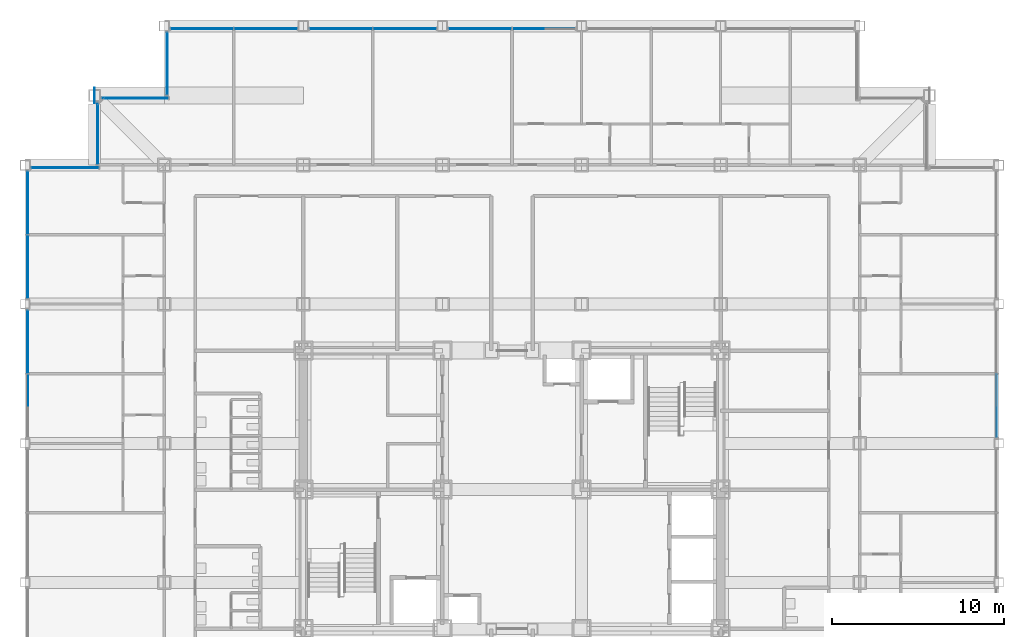
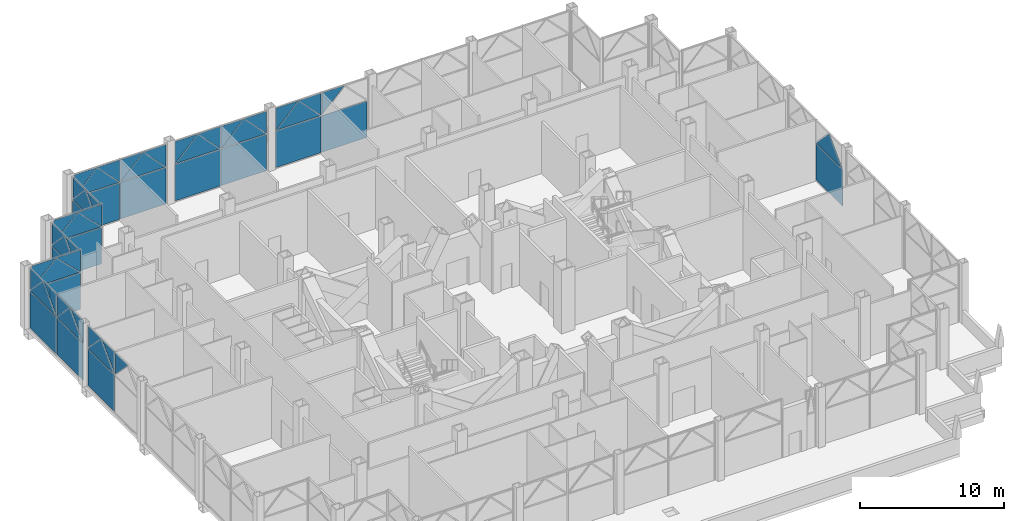
# One storey, part 15 of 29: 54 plates, 10 elements without a shape of their own.
"""IFC4 building model written with IfcOpenShell, lengths in metres."""

from ifc_helpers import new_model, si_unit, direction, frame, origin, origin_2d, place, context, subcontext, project, spatial, polyline, rectangle, outline, extrude, material, layer, layer_set, type_object, element, aggregate, save


model = new_model("IFC4")

# Units and contexts
model_context = context("Model", 3, precision=1e-05, world=origin(), true_north=direction((0.0, 1.0)))
body_context = subcontext(model_context, "Body", "Model", "MODEL_VIEW")
ifc_project = project(units=[si_unit("LENGTHUNIT", "METRE"), si_unit("AREAUNIT", "SQUARE_METRE"), si_unit("VOLUMEUNIT", "CUBIC_METRE"), si_unit("PLANEANGLEUNIT", "RADIAN"), si_unit("MASSUNIT", "GRAM", prefix="KILO")], contexts=[model_context])

# Site, building, storey
site_placement = place(None, origin())
site = spatial("IfcSite", under=ifc_project, at=site_placement, CompositionType="ELEMENT")
building_placement = place(site_placement, origin())
building = spatial("IfcBuilding", under=site, at=building_placement, Name="Kopane Lantern Tower", CompositionType="ELEMENT")
storey_placement = place(building_placement, frame((0.0, 0.0, 165.0)))
storey = spatial("IfcBuildingStorey", under=building, at=storey_placement, Name="L42", CompositionType="ELEMENT", Elevation=165.0)

# Curtain wall, plates
ifc_material_1 = material(Name="Aluminium and clear glass", Category="aluminium")
curtain_wall_type = type_object("IfcCurtainWallType", Name="CURTAIN WALL CW4 RESIDENCES LOBBY", PredefinedType="USERDEFINED", material=ifc_material_1)
curtain_wall_1_placement = place(storey_placement, origin())
curtain_wall_1 = element("IfcCurtainWall", 1, at=curtain_wall_1_placement, inside=storey, type_object=curtain_wall_type, Name="Curtain wall CW4 E L42", ObjectType="CURTAIN WALL", PredefinedType="USERDEFINED")
ifc_material_2 = material(Name="Insulated clear glass unit", Category="glass")
ifc_layer_1 = layer(ifc_material_2, 0.028076171875)
ifc_layer_set_1 = layer_set([ifc_layer_1], Name="CURTAIN PANEL CW4-P 28")
plate_type_1 = type_object("IfcPlateType", Name="CURTAIN PANEL CW4-P 28", PredefinedType="CURTAIN_PANEL", material=ifc_layer_set_1)
plate_1_placement = place(storey_placement, frame((56.550048828125, 37.280029296875, 0.06005859375), z_axis=(0.0, 0.0, 1.0), x_axis=(0.0, 1.0, 0.0)))
plate_1 = element("IfcPlate", 2, at=plate_1_placement, type_object=plate_type_1, Name="CW4 panel 1.1", PredefinedType="CURTAIN_PANEL", context=body_context, shape_type="SweptSolid", body=[
    extrude(rectangle(XDim=3.679931640625, YDim=0.028076171875, at=origin_2d()), origin(), (0.0, 0.0, 1.0), 3.10009765625),
])
plate_2_placement = place(storey_placement, frame((56.550048828125, 35.43994140625, 3.219970703125), z_axis=(0.0, 0.0, 1.0), x_axis=(0.0, 1.0, 0.0)))
plate_2 = element("IfcPlate", 3, at=plate_2_placement, type_object=plate_type_1, Name="CW4 lancet panel 1", PredefinedType="CURTAIN_PANEL", context=body_context, shape_type="SweptSolid", body=[
    extrude(outline(polyline([(0.0, 0.0), (3.68017578125, 0.0), (3.679931640625, 0.0009765625), (1.840087890625, 1.913330078125), (0.0, 0.0009765625), (0.0, 0.0)])), frame((0.0, 0.01416015625, 0.0), z_axis=(0.0, -1.0, 0.0), x_axis=(1.0, 0.0, 0.0)), (0.0, 0.0, 1.0), 0.028076171875),
])
aggregate(curtain_wall_1, [plate_1, plate_2])

curtain_wall_2_placement = place(storey_placement, origin())
curtain_wall_2 = element("IfcCurtainWall", 4, at=curtain_wall_2_placement, inside=storey, type_object=curtain_wall_type, Name="Curtain wall CW4 N L42", ObjectType="CURTAIN WALL", PredefinedType="USERDEFINED")
plate_3_placement = place(storey_placement, frame((30.20751953125, 59.25, 0.06005859375), z_axis=(0.0, 0.0, 1.0), x_axis=(-1.0, 0.0, 0.0)))
plate_3 = element("IfcPlate", 5, at=plate_3_placement, type_object=plate_type_1, Name="CW4 panel 1.1", PredefinedType="CURTAIN_PANEL", context=body_context, shape_type="SweptSolid", body=[
    extrude(rectangle(XDim=3.655029296875, YDim=0.028076171875, at=origin_2d()), origin(), (0.0, 0.0, 1.0), 3.10009765625),
])
plate_4_placement = place(storey_placement, frame((26.492431640625, 59.25, 0.06005859375), z_axis=(0.0, 0.0, 1.0), x_axis=(-1.0, 0.0, 0.0)))
plate_4 = element("IfcPlate", 6, at=plate_4_placement, type_object=plate_type_1, Name="CW4 panel 2.1", PredefinedType="CURTAIN_PANEL", context=body_context, shape_type="SweptSolid", body=[
    extrude(rectangle(XDim=3.655029296875, YDim=0.028076171875, at=origin_2d()), origin(), (0.0, 0.0, 1.0), 3.10009765625),
])
plate_5_placement = place(storey_placement, frame((28.3798828125, 59.219970703125, 5.1298828125), z_axis=(0.0, 0.0, 1.0), x_axis=(1.0, 0.0, 0.0)))
plate_5 = element("IfcPlate", 7, at=plate_5_placement, type_object=plate_type_1, Name="CW4 spandrel panel 1R", PredefinedType="CURTAIN_PANEL", context=body_context, shape_type="SweptSolid", body=[
    extrude(outline(polyline([(0.0, 0.0), (1.82763671875, 0.0), (1.827392578125, -0.0009765625), (0.0, -1.868408203125), (0.0, 0.0)])), frame((0.0, 0.01416015625, 0.0), z_axis=(0.0, -1.0, 0.0), x_axis=(1.0, 0.0, 0.0)), (0.0, 0.0, 1.0), 0.028076171875),
])
plate_6_placement = place(storey_placement, frame((28.320068359375, 59.25, 3.219970703125), z_axis=(0.0, 0.0, 1.0), x_axis=(-1.0, 0.0, 0.0)))
plate_6 = element("IfcPlate", 8, at=plate_6_placement, type_object=plate_type_1, Name="CW4 lancet panel 2", PredefinedType="CURTAIN_PANEL", context=body_context, shape_type="SweptSolid", body=[
    extrude(outline(polyline([(0.0, 0.0), (3.655029296875, 0.0), (3.655029296875, 0.0009765625), (1.827392578125, 1.9140625), (0.0, 0.0009765625), (0.0, 0.0)])), frame((0.0, 0.01416015625, 0.0), z_axis=(0.0, -1.0, 0.0), x_axis=(1.0, 0.0, 0.0)), (0.0, 0.0, 1.0), 0.028076171875),
])
plate_7_placement = place(storey_placement, frame((28.320068359375, 59.219970703125, 5.1298828125), z_axis=(0.0, 0.0, 1.0), x_axis=(-1.0, 0.0, 0.0)))
plate_7 = element("IfcPlate", 9, at=plate_7_placement, type_object=plate_type_1, Name="CW4 spandrel panel 2L", PredefinedType="CURTAIN_PANEL", context=body_context, shape_type="SweptSolid", body=[
    extrude(outline(polyline([(0.0, 0.0), (1.82763671875, 0.0), (1.827392578125, -0.0009765625), (0.0, -1.868408203125), (0.0, 0.0)])), frame((0.0, 0.01416015625, 0.0), z_axis=(0.0, -1.0, 0.0), x_axis=(1.0, 0.0, 0.0)), (0.0, 0.0, 1.0), 0.028076171875),
])
plate_8_placement = place(storey_placement, frame((24.6650390625, 59.219970703125, 5.1298828125), z_axis=(0.0, 0.0, 1.0), x_axis=(1.0, 0.0, 0.0)))
plate_8 = element("IfcPlate", 10, at=plate_8_placement, type_object=plate_type_1, Name="CW4 spandrel panel 2R", PredefinedType="CURTAIN_PANEL", context=body_context, shape_type="SweptSolid", body=[
    extrude(outline(polyline([(0.0, 0.0), (1.827392578125, 0.0), (1.827392578125, -0.0009765625), (0.0, -1.868408203125), (0.0, 0.0)])), frame((0.0, 0.01416015625, 0.0), z_axis=(0.0, -1.0, 0.0), x_axis=(1.0, 0.0, 0.0)), (0.0, 0.0, 1.0), 0.028076171875),
])
aggregate(curtain_wall_2, [plate_3, plate_4, plate_5, plate_6, plate_7, plate_8])

curtain_wall_3_placement = place(storey_placement, origin())
curtain_wall_3 = element("IfcCurtainWall", 11, at=curtain_wall_3_placement, inside=storey, type_object=curtain_wall_type, Name="Curtain wall CW4 N L42", ObjectType="CURTAIN WALL", PredefinedType="USERDEFINED")
plate_9_placement = place(storey_placement, frame((22.107421875, 59.25, 0.06005859375), z_axis=(0.0, 0.0, 1.0), x_axis=(-1.0, 0.0, 0.0)))
plate_9 = element("IfcPlate", 12, at=plate_9_placement, type_object=plate_type_1, Name="CW4 panel 1.1", PredefinedType="CURTAIN_PANEL", context=body_context, shape_type="SweptSolid", body=[
    extrude(rectangle(XDim=3.655029296875, YDim=0.028076171875, at=origin_2d()), origin(), (0.0, 0.0, 1.0), 3.10009765625),
])
plate_10_placement = place(storey_placement, frame((18.392578125, 59.25, 0.06005859375), z_axis=(0.0, 0.0, 1.0), x_axis=(-1.0, 0.0, 0.0)))
plate_10 = element("IfcPlate", 13, at=plate_10_placement, type_object=plate_type_1, Name="CW4 panel 2.1", PredefinedType="CURTAIN_PANEL", context=body_context, shape_type="SweptSolid", body=[
    extrude(rectangle(XDim=3.655029296875, YDim=0.028076171875, at=origin_2d()), origin(), (0.0, 0.0, 1.0), 3.10009765625),
])
plate_11_placement = place(storey_placement, frame((23.93505859375, 59.25, 3.219970703125), z_axis=(0.0, 0.0, 1.0), x_axis=(-1.0, 0.0, 0.0)))
plate_11 = element("IfcPlate", 14, at=plate_11_placement, type_object=plate_type_1, Name="CW4 lancet panel 1", PredefinedType="CURTAIN_PANEL", context=body_context, shape_type="SweptSolid", body=[
    extrude(outline(polyline([(0.0, 0.0), (3.655029296875, 0.0), (3.655029296875, 0.0009765625), (1.827392578125, 1.9140625), (0.0, 0.0009765625), (0.0, 0.0)])), frame((0.0, 0.01416015625, 0.0), z_axis=(0.0, -1.0, 0.0), x_axis=(1.0, 0.0, 0.0)), (0.0, 0.0, 1.0), 0.028076171875),
])
plate_12_placement = place(storey_placement, frame((23.93505859375, 59.219970703125, 5.1298828125), z_axis=(0.0, 0.0, 1.0), x_axis=(-1.0, 0.0, 0.0)))
plate_12 = element("IfcPlate", 15, at=plate_12_placement, type_object=plate_type_1, Name="CW4 spandrel panel 1L", PredefinedType="CURTAIN_PANEL", context=body_context, shape_type="SweptSolid", body=[
    extrude(outline(polyline([(0.0, 0.0), (1.82763671875, 0.0), (1.827392578125, -0.0009765625), (0.0, -1.868408203125), (0.0, 0.0)])), frame((0.0, 0.01416015625, 0.0), z_axis=(0.0, -1.0, 0.0), x_axis=(1.0, 0.0, 0.0)), (0.0, 0.0, 1.0), 0.028076171875),
])
plate_13_placement = place(storey_placement, frame((20.280029296875, 59.219970703125, 5.1298828125), z_axis=(0.0, 0.0, 1.0), x_axis=(1.0, 0.0, 0.0)))
plate_13 = element("IfcPlate", 16, at=plate_13_placement, type_object=plate_type_1, Name="CW4 spandrel panel 1R", PredefinedType="CURTAIN_PANEL", context=body_context, shape_type="SweptSolid", body=[
    extrude(outline(polyline([(0.0, 0.0), (1.827392578125, 0.0), (1.827392578125, -0.0009765625), (0.0, -1.868408203125), (0.0, 0.0)])), frame((0.0, 0.01416015625, 0.0), z_axis=(0.0, -1.0, 0.0), x_axis=(1.0, 0.0, 0.0)), (0.0, 0.0, 1.0), 0.028076171875),
])
plate_14_placement = place(storey_placement, frame((20.219970703125, 59.25, 3.219970703125), z_axis=(0.0, 0.0, 1.0), x_axis=(-1.0, 0.0, 0.0)))
plate_14 = element("IfcPlate", 17, at=plate_14_placement, type_object=plate_type_1, Name="CW4 lancet panel 2", PredefinedType="CURTAIN_PANEL", context=body_context, shape_type="SweptSolid", body=[
    extrude(outline(polyline([(0.0, 0.0), (3.655029296875, 0.0), (3.655029296875, 0.0009765625), (1.827392578125, 1.9140625), (0.0, 0.0009765625), (0.0, 0.0)])), frame((0.0, 0.01416015625, 0.0), z_axis=(0.0, -1.0, 0.0), x_axis=(1.0, 0.0, 0.0)), (0.0, 0.0, 1.0), 0.028076171875),
])
plate_15_placement = place(storey_placement, frame((20.219970703125, 59.219970703125, 5.1298828125), z_axis=(0.0, 0.0, 1.0), x_axis=(-1.0, 0.0, 0.0)))
plate_15 = element("IfcPlate", 18, at=plate_15_placement, type_object=plate_type_1, Name="CW4 spandrel panel 2L", PredefinedType="CURTAIN_PANEL", context=body_context, shape_type="SweptSolid", body=[
    extrude(outline(polyline([(0.0, 0.0), (1.827392578125, 0.0), (1.827392578125, -0.0009765625), (0.0, -1.868408203125), (0.0, 0.0)])), frame((0.0, 0.01416015625, 0.0), z_axis=(0.0, -1.0, 0.0), x_axis=(1.0, 0.0, 0.0)), (0.0, 0.0, 1.0), 0.028076171875),
])
plate_16_placement = place(storey_placement, frame((16.56494140625, 59.219970703125, 5.1298828125), z_axis=(0.0, 0.0, 1.0), x_axis=(1.0, 0.0, 0.0)))
plate_16 = element("IfcPlate", 19, at=plate_16_placement, type_object=plate_type_1, Name="CW4 spandrel panel 2R", PredefinedType="CURTAIN_PANEL", context=body_context, shape_type="SweptSolid", body=[
    extrude(outline(polyline([(0.0, 0.0), (1.82763671875, 0.0), (1.827392578125, -0.0009765625), (0.0, -1.868408203125), (0.0, 0.0)])), frame((0.0, 0.01416015625, 0.0), z_axis=(0.0, -1.0, 0.0), x_axis=(1.0, 0.0, 0.0)), (0.0, 0.0, 1.0), 0.028076171875),
])
aggregate(curtain_wall_3, [plate_9, plate_10, plate_11, plate_12, plate_13, plate_14, plate_15, plate_16])

curtain_wall_4_placement = place(storey_placement, origin())
curtain_wall_4 = element("IfcCurtainWall", 20, at=curtain_wall_4_placement, inside=storey, type_object=curtain_wall_type, Name="Curtain wall CW4 N L42", ObjectType="CURTAIN WALL", PredefinedType="USERDEFINED")
plate_17_placement = place(storey_placement, frame((14.007568359375, 59.25, 0.06005859375), z_axis=(0.0, 0.0, 1.0), x_axis=(-1.0, 0.0, 0.0)))
plate_17 = element("IfcPlate", 21, at=plate_17_placement, type_object=plate_type_1, Name="CW4 panel 1.1", PredefinedType="CURTAIN_PANEL", context=body_context, shape_type="SweptSolid", body=[
    extrude(rectangle(XDim=3.655029296875, YDim=0.028076171875, at=origin_2d()), origin(), (0.0, 0.0, 1.0), 3.10009765625),
])
plate_18_placement = place(storey_placement, frame((10.29248046875, 59.25, 0.06005859375), z_axis=(0.0, 0.0, 1.0), x_axis=(-1.0, 0.0, 0.0)))
plate_18 = element("IfcPlate", 22, at=plate_18_placement, type_object=plate_type_1, Name="CW4 panel 2.1", PredefinedType="CURTAIN_PANEL", context=body_context, shape_type="SweptSolid", body=[
    extrude(rectangle(XDim=3.655029296875, YDim=0.028076171875, at=origin_2d()), origin(), (0.0, 0.0, 1.0), 3.10009765625),
])
plate_19_placement = place(storey_placement, frame((15.8349609375, 59.25, 3.219970703125), z_axis=(0.0, 0.0, 1.0), x_axis=(-1.0, 0.0, 0.0)))
plate_19 = element("IfcPlate", 23, at=plate_19_placement, type_object=plate_type_1, Name="CW4 lancet panel 1", PredefinedType="CURTAIN_PANEL", context=body_context, shape_type="SweptSolid", body=[
    extrude(outline(polyline([(0.0, 0.0), (3.655029296875, 0.0), (3.655029296875, 0.0009765625), (1.827392578125, 1.9140625), (0.0, 0.0009765625), (0.0, 0.0)])), frame((0.0, 0.01416015625, 0.0), z_axis=(0.0, -1.0, 0.0), x_axis=(1.0, 0.0, 0.0)), (0.0, 0.0, 1.0), 0.028076171875),
])
plate_20_placement = place(storey_placement, frame((15.8349609375, 59.219970703125, 5.1298828125), z_axis=(0.0, 0.0, 1.0), x_axis=(-1.0, 0.0, 0.0)))
plate_20 = element("IfcPlate", 24, at=plate_20_placement, type_object=plate_type_1, Name="CW4 spandrel panel 1L", PredefinedType="CURTAIN_PANEL", context=body_context, shape_type="SweptSolid", body=[
    extrude(outline(polyline([(0.0, 0.0), (1.827392578125, 0.0), (1.827392578125, -0.0009765625), (0.0, -1.868408203125), (0.0, 0.0)])), frame((0.0, 0.01416015625, 0.0), z_axis=(0.0, -1.0, 0.0), x_axis=(1.0, 0.0, 0.0)), (0.0, 0.0, 1.0), 0.028076171875),
])
plate_21_placement = place(storey_placement, frame((12.179931640625, 59.219970703125, 5.1298828125), z_axis=(0.0, 0.0, 1.0), x_axis=(1.0, 0.0, 0.0)))
plate_21 = element("IfcPlate", 25, at=plate_21_placement, type_object=plate_type_1, Name="CW4 spandrel panel 1R", PredefinedType="CURTAIN_PANEL", context=body_context, shape_type="SweptSolid", body=[
    extrude(outline(polyline([(0.0, 0.0), (1.82763671875, 0.0), (1.827392578125, -0.0009765625), (0.0, -1.868408203125), (0.0, 0.0)])), frame((0.0, 0.01416015625, 0.0), z_axis=(0.0, -1.0, 0.0), x_axis=(1.0, 0.0, 0.0)), (0.0, 0.0, 1.0), 0.028076171875),
])
plate_22_placement = place(storey_placement, frame((12.1201171875, 59.25, 3.219970703125), z_axis=(0.0, 0.0, 1.0), x_axis=(-1.0, 0.0, 0.0)))
plate_22 = element("IfcPlate", 26, at=plate_22_placement, type_object=plate_type_1, Name="CW4 lancet panel 2", PredefinedType="CURTAIN_PANEL", context=body_context, shape_type="SweptSolid", body=[
    extrude(outline(polyline([(0.0, 0.0), (3.655029296875, 0.0), (3.655029296875, 0.0009765625), (1.827392578125, 1.9140625), (0.0, 0.0009765625), (0.0, 0.0)])), frame((0.0, 0.01416015625, 0.0), z_axis=(0.0, -1.0, 0.0), x_axis=(1.0, 0.0, 0.0)), (0.0, 0.0, 1.0), 0.028076171875),
])
plate_23_placement = place(storey_placement, frame((12.1201171875, 59.219970703125, 5.1298828125), z_axis=(0.0, 0.0, 1.0), x_axis=(-1.0, 0.0, 0.0)))
plate_23 = element("IfcPlate", 27, at=plate_23_placement, type_object=plate_type_1, Name="CW4 spandrel panel 2L", PredefinedType="CURTAIN_PANEL", context=body_context, shape_type="SweptSolid", body=[
    extrude(outline(polyline([(0.0, 0.0), (1.82763671875, 0.0), (1.827392578125, -0.0009765625), (0.0, -1.868408203125), (0.0, 0.0)])), frame((0.0, 0.01416015625, 0.0), z_axis=(0.0, -1.0, 0.0), x_axis=(1.0, 0.0, 0.0)), (0.0, 0.0, 1.0), 0.028076171875),
])
plate_24_placement = place(storey_placement, frame((8.465087890625, 59.219970703125, 5.1298828125), z_axis=(0.0, 0.0, 1.0), x_axis=(1.0, 0.0, 0.0)))
plate_24 = element("IfcPlate", 28, at=plate_24_placement, type_object=plate_type_1, Name="CW4 spandrel panel 2R", PredefinedType="CURTAIN_PANEL", context=body_context, shape_type="SweptSolid", body=[
    extrude(outline(polyline([(0.0, 0.0), (1.827392578125, 0.0), (1.827392578125, -0.0009765625), (0.0, -1.868408203125), (0.0, 0.0)])), frame((0.0, 0.01416015625, 0.0), z_axis=(0.0, -1.0, 0.0), x_axis=(1.0, 0.0, 0.0)), (0.0, 0.0, 1.0), 0.028076171875),
])
aggregate(curtain_wall_4, [plate_17, plate_18, plate_19, plate_20, plate_21, plate_22, plate_23, plate_24])

curtain_wall_5_placement = place(storey_placement, origin())
curtain_wall_5 = element("IfcCurtainWall", 29, at=curtain_wall_5_placement, inside=storey, type_object=curtain_wall_type, Name="Curtain wall CW4 W L42", ObjectType="CURTAIN WALL", PredefinedType="USERDEFINED")
plate_25_placement = place(storey_placement, frame((8.25, 57.22509765625, 0.06005859375), z_axis=(0.0, 0.0, 1.0), x_axis=(0.0, -1.0, 0.0)))
plate_25 = element("IfcPlate", 30, at=plate_25_placement, type_object=plate_type_1, Name="CW4 panel 1.1", PredefinedType="CURTAIN_PANEL", context=body_context, shape_type="SweptSolid", body=[
    extrude(rectangle(XDim=3.6298828125, YDim=0.028076171875, at=origin_2d()), origin(), (0.0, 0.0, 1.0), 3.10009765625),
])
plate_26_placement = place(storey_placement, frame((8.25, 59.0400390625, 3.219970703125), z_axis=(0.0, 0.0, 1.0), x_axis=(0.0, -1.0, 0.0)))
plate_26 = element("IfcPlate", 31, at=plate_26_placement, type_object=plate_type_1, Name="CW4 lancet panel 1", PredefinedType="CURTAIN_PANEL", context=body_context, shape_type="SweptSolid", body=[
    extrude(outline(polyline([(0.0, 0.0), (3.630126953125, 0.0), (3.6298828125, 0.0009765625), (1.81494140625, 1.914794921875), (0.0, 0.0009765625), (0.0, 0.0)])), frame((0.0, 0.01416015625, 0.0), z_axis=(0.0, -1.0, 0.0), x_axis=(1.0, 0.0, 0.0)), (0.0, 0.0, 1.0), 0.028076171875),
])
plate_27_placement = place(storey_placement, frame((8.280029296875, 59.0400390625, 5.1298828125), z_axis=(0.0, 0.0, 1.0), x_axis=(0.0, -1.0, 0.0)))
plate_27 = element("IfcPlate", 32, at=plate_27_placement, type_object=plate_type_1, Name="CW4 spandrel panel 1L", PredefinedType="CURTAIN_PANEL", context=body_context, shape_type="SweptSolid", body=[
    extrude(outline(polyline([(0.0, 0.0), (1.81494140625, 0.0), (1.81494140625, -0.0009765625), (0.0, -1.86865234375), (0.0, 0.0)])), frame((0.0, 0.01416015625, 0.0), z_axis=(0.0, -1.0, 0.0), x_axis=(1.0, 0.0, 0.0)), (0.0, 0.0, 1.0), 0.028076171875),
])
plate_28_placement = place(storey_placement, frame((8.280029296875, 55.409912109375, 5.1298828125), z_axis=(0.0, 0.0, 1.0), x_axis=(0.0, 1.0, 0.0)))
plate_28 = element("IfcPlate", 33, at=plate_28_placement, type_object=plate_type_1, Name="CW4 spandrel panel 1R", PredefinedType="CURTAIN_PANEL", context=body_context, shape_type="SweptSolid", body=[
    extrude(outline(polyline([(0.0, 0.0), (1.815185546875, 0.0), (1.81494140625, -0.0009765625), (0.0, -1.86865234375), (0.0, 0.0)])), frame((0.0, 0.01416015625, 0.0), z_axis=(0.0, -1.0, 0.0), x_axis=(1.0, 0.0, 0.0)), (0.0, 0.0, 1.0), 0.028076171875),
])
aggregate(curtain_wall_5, [plate_25, plate_26, plate_27, plate_28])

curtain_wall_6_placement = place(storey_placement, origin())
curtain_wall_6 = element("IfcCurtainWall", 34, at=curtain_wall_6_placement, inside=storey, type_object=curtain_wall_type, Name="Curtain wall CW4 N L42", ObjectType="CURTAIN WALL", PredefinedType="USERDEFINED")
plate_29_placement = place(storey_placement, frame((6.402587890625, 55.199951171875, 0.06005859375), z_axis=(0.0, 0.0, 1.0), x_axis=(-1.0, 0.0, 0.0)))
plate_29 = element("IfcPlate", 35, at=plate_29_placement, type_object=plate_type_1, Name="CW4 panel 1.1", PredefinedType="CURTAIN_PANEL", context=body_context, shape_type="SweptSolid", body=[
    extrude(rectangle(XDim=3.875, YDim=0.028076171875, at=origin_2d()), origin(), (0.0, 0.0, 1.0), 3.10009765625),
])
plate_30_placement = place(storey_placement, frame((8.340087890625, 55.199951171875, 3.219970703125), z_axis=(0.0, 0.0, 1.0), x_axis=(-1.0, 0.0, 0.0)))
plate_30 = element("IfcPlate", 36, at=plate_30_placement, type_object=plate_type_1, Name="CW4 lancet panel 1", PredefinedType="CURTAIN_PANEL", context=body_context, shape_type="SweptSolid", body=[
    extrude(outline(polyline([(0.0, 0.0), (3.875, 0.0), (3.875, 0.0009765625), (1.9375, 1.90869140625), (0.0, 0.0009765625), (0.0, 0.0)])), frame((0.0, 0.01416015625, 0.0), z_axis=(0.0, -1.0, 0.0), x_axis=(1.0, 0.0, 0.0)), (0.0, 0.0, 1.0), 0.028076171875),
])
plate_31_placement = place(storey_placement, frame((8.340087890625, 55.169921875, 5.1298828125), z_axis=(0.0, 0.0, 1.0), x_axis=(-1.0, 0.0, 0.0)))
plate_31 = element("IfcPlate", 37, at=plate_31_placement, type_object=plate_type_1, Name="CW4 spandrel panel 1L", PredefinedType="CURTAIN_PANEL", context=body_context, shape_type="SweptSolid", body=[
    extrude(outline(polyline([(0.0, 0.0), (1.9375, 0.0), (1.9375, -0.0009765625), (0.0, -1.8671875), (0.0, 0.0)])), frame((0.0, 0.01416015625, 0.0), z_axis=(0.0, -1.0, 0.0), x_axis=(1.0, 0.0, 0.0)), (0.0, 0.0, 1.0), 0.028076171875),
])
plate_32_placement = place(storey_placement, frame((4.465087890625, 55.169921875, 5.1298828125), z_axis=(0.0, 0.0, 1.0), x_axis=(1.0, 0.0, 0.0)))
plate_32 = element("IfcPlate", 38, at=plate_32_placement, type_object=plate_type_1, Name="CW4 spandrel panel 1R", PredefinedType="CURTAIN_PANEL", context=body_context, shape_type="SweptSolid", body=[
    extrude(outline(polyline([(0.0, 0.0), (1.9375, 0.0), (1.9375, -0.0009765625), (0.0, -1.8671875), (0.0, 0.0)])), frame((0.0, 0.01416015625, 0.0), z_axis=(0.0, -1.0, 0.0), x_axis=(1.0, 0.0, 0.0)), (0.0, 0.0, 1.0), 0.028076171875),
])
aggregate(curtain_wall_6, [plate_29, plate_30, plate_31, plate_32])

curtain_wall_7_placement = place(storey_placement, origin())
curtain_wall_7 = element("IfcCurtainWall", 39, at=curtain_wall_7_placement, inside=storey, type_object=curtain_wall_type, Name="Curtain wall CW4 W L42", ObjectType="CURTAIN WALL", PredefinedType="USERDEFINED")
plate_33_placement = place(storey_placement, frame((4.199951171875, 53.1474609375, 0.06005859375), z_axis=(0.0, 0.0, 1.0), x_axis=(0.0, -1.0, 0.0)))
plate_33 = element("IfcPlate", 40, at=plate_33_placement, type_object=plate_type_1, Name="CW4 panel 1.1", PredefinedType="CURTAIN_PANEL", context=body_context, shape_type="SweptSolid", body=[
    extrude(rectangle(XDim=3.574951171875, YDim=0.028076171875, at=origin_2d()), origin(), (0.0, 0.0, 1.0), 3.10009765625),
])
plate_34_placement = place(storey_placement, frame((4.199951171875, 54.93505859375, 3.219970703125), z_axis=(0.0, 0.0, 1.0), x_axis=(0.0, -1.0, 0.0)))
plate_34 = element("IfcPlate", 41, at=plate_34_placement, type_object=plate_type_1, Name="CW4 lancet panel 1", PredefinedType="CURTAIN_PANEL", context=body_context, shape_type="SweptSolid", body=[
    extrude(outline(polyline([(0.0, 0.0), (3.574951171875, 0.0), (3.574951171875, 0.0009765625), (1.78759765625, 1.916015625), (0.0, 0.0009765625), (0.0, 0.0)])), frame((0.0, 0.01416015625, 0.0), z_axis=(0.0, -1.0, 0.0), x_axis=(1.0, 0.0, 0.0)), (0.0, 0.0, 1.0), 0.028076171875),
])
plate_35_placement = place(storey_placement, frame((4.22998046875, 54.93505859375, 5.1298828125), z_axis=(0.0, 0.0, 1.0), x_axis=(0.0, -1.0, 0.0)))
plate_35 = element("IfcPlate", 42, at=plate_35_placement, type_object=plate_type_1, Name="CW4 spandrel panel 1L", PredefinedType="CURTAIN_PANEL", context=body_context, shape_type="SweptSolid", body=[
    extrude(outline(polyline([(0.0, 0.0), (1.78759765625, 0.0), (1.78759765625, -0.0009765625), (0.0, -1.868896484375), (0.0, 0.0)])), frame((0.0, 0.01416015625, 0.0), z_axis=(0.0, -1.0, 0.0), x_axis=(1.0, 0.0, 0.0)), (0.0, 0.0, 1.0), 0.028076171875),
])
plate_36_placement = place(storey_placement, frame((4.22998046875, 51.360107421875, 5.1298828125), z_axis=(0.0, 0.0, 1.0), x_axis=(0.0, 1.0, 0.0)))
plate_36 = element("IfcPlate", 43, at=plate_36_placement, type_object=plate_type_1, Name="CW4 spandrel panel 1R", PredefinedType="CURTAIN_PANEL", context=body_context, shape_type="SweptSolid", body=[
    extrude(outline(polyline([(0.0, 0.0), (1.787353515625, 0.0), (1.78759765625, -0.0009765625), (0.0, -1.868896484375), (0.0, 0.0)])), frame((0.0, 0.01416015625, 0.0), z_axis=(0.0, -1.0, 0.0), x_axis=(1.0, 0.0, 0.0)), (0.0, 0.0, 1.0), 0.028076171875),
])
aggregate(curtain_wall_7, [plate_33, plate_34, plate_35, plate_36])

curtain_wall_8_placement = place(storey_placement, origin())
curtain_wall_8 = element("IfcCurtainWall", 44, at=curtain_wall_8_placement, inside=storey, type_object=curtain_wall_type, Name="Curtain wall CW4 N L42", ObjectType="CURTAIN WALL", PredefinedType="USERDEFINED")
plate_37_placement = place(storey_placement, frame((2.327392578125, 51.14990234375, 0.06005859375), z_axis=(0.0, 0.0, 1.0), x_axis=(-1.0, 0.0, 0.0)))
plate_37 = element("IfcPlate", 45, at=plate_37_placement, type_object=plate_type_1, Name="CW4 panel 1.1", PredefinedType="CURTAIN_PANEL", context=body_context, shape_type="SweptSolid", body=[
    extrude(rectangle(XDim=3.925048828125, YDim=0.028076171875, at=origin_2d()), origin(), (0.0, 0.0, 1.0), 3.10009765625),
])
plate_38_placement = place(storey_placement, frame((4.2900390625, 51.14990234375, 3.219970703125), z_axis=(0.0, 0.0, 1.0), x_axis=(-1.0, 0.0, 0.0)))
plate_38 = element("IfcPlate", 46, at=plate_38_placement, type_object=plate_type_1, Name="CW4 lancet panel 1", PredefinedType="CURTAIN_PANEL", context=body_context, shape_type="SweptSolid", body=[
    extrude(outline(polyline([(0.0, 0.0), (3.925048828125, 0.0), (3.925048828125, 0.0009765625), (1.96240234375, 1.90771484375), (0.0, 0.0009765625), (0.0, 0.0)])), frame((0.0, 0.01416015625, 0.0), z_axis=(0.0, -1.0, 0.0), x_axis=(1.0, 0.0, 0.0)), (0.0, 0.0, 1.0), 0.028076171875),
])
plate_39_placement = place(storey_placement, frame((4.2900390625, 51.1201171875, 5.1298828125), z_axis=(0.0, 0.0, 1.0), x_axis=(-1.0, 0.0, 0.0)))
plate_39 = element("IfcPlate", 47, at=plate_39_placement, type_object=plate_type_1, Name="CW4 spandrel panel 1L", PredefinedType="CURTAIN_PANEL", context=body_context, shape_type="SweptSolid", body=[
    extrude(outline(polyline([(0.0, 0.0), (1.962646484375, 0.0), (1.96240234375, -0.0009765625), (0.0, -1.866943359375), (0.0, 0.0)])), frame((0.0, 0.01416015625, 0.0), z_axis=(0.0, -1.0, 0.0), x_axis=(1.0, 0.0, 0.0)), (0.0, 0.0, 1.0), 0.028076171875),
])
plate_40_placement = place(storey_placement, frame((0.364990234375, 51.1201171875, 5.1298828125), z_axis=(0.0, 0.0, 1.0), x_axis=(1.0, 0.0, 0.0)))
plate_40 = element("IfcPlate", 48, at=plate_40_placement, type_object=plate_type_1, Name="CW4 spandrel panel 1R", PredefinedType="CURTAIN_PANEL", context=body_context, shape_type="SweptSolid", body=[
    extrude(outline(polyline([(0.0, 0.0), (1.96240234375, 0.0), (1.96240234375, -0.0009765625), (0.0, -1.866943359375), (0.0, 0.0)])), frame((0.0, 0.01416015625, 0.0), z_axis=(0.0, -1.0, 0.0), x_axis=(1.0, 0.0, 0.0)), (0.0, 0.0, 1.0), 0.028076171875),
])
aggregate(curtain_wall_8, [plate_37, plate_38, plate_39, plate_40])

curtain_wall_9_placement = place(storey_placement, origin())
curtain_wall_9 = element("IfcCurtainWall", 49, at=curtain_wall_9_placement, inside=storey, type_object=curtain_wall_type, Name="Curtain wall CW4 W L42", ObjectType="CURTAIN WALL", PredefinedType="USERDEFINED")
plate_41_placement = place(storey_placement, frame((0.14990234375, 49.10498046875, 0.06005859375), z_axis=(0.0, 0.0, 1.0), x_axis=(0.0, -1.0, 0.0)))
plate_41 = element("IfcPlate", 50, at=plate_41_placement, type_object=plate_type_1, Name="CW4 panel 1.1", PredefinedType="CURTAIN_PANEL", context=body_context, shape_type="SweptSolid", body=[
    extrude(rectangle(XDim=3.669921875, YDim=0.028076171875, at=origin_2d()), origin(), (0.0, 0.0, 1.0), 3.10009765625),
])
plate_42_placement = place(storey_placement, frame((0.14990234375, 45.375, 0.06005859375), z_axis=(0.0, 0.0, 1.0), x_axis=(0.0, -1.0, 0.0)))
plate_42 = element("IfcPlate", 51, at=plate_42_placement, type_object=plate_type_1, Name="CW4 panel 2.1", PredefinedType="CURTAIN_PANEL", context=body_context, shape_type="SweptSolid", body=[
    extrude(rectangle(XDim=3.669921875, YDim=0.028076171875, at=origin_2d()), origin(), (0.0, 0.0, 1.0), 3.10009765625),
])
plate_43_placement = place(storey_placement, frame((0.14990234375, 50.93994140625, 3.219970703125), z_axis=(0.0, 0.0, 1.0), x_axis=(0.0, -1.0, 0.0)))
plate_43 = element("IfcPlate", 52, at=plate_43_placement, type_object=plate_type_1, Name="CW4 lancet panel 1", PredefinedType="CURTAIN_PANEL", context=body_context, shape_type="SweptSolid", body=[
    extrude(outline(polyline([(0.0, 0.0), (3.669921875, 0.0), (3.669921875, 0.0009765625), (1.8349609375, 1.91357421875), (0.0, 0.0009765625), (0.0, 0.0)])), frame((0.0, 0.01416015625, 0.0), z_axis=(0.0, -1.0, 0.0), x_axis=(1.0, 0.0, 0.0)), (0.0, 0.0, 1.0), 0.028076171875),
])
plate_44_placement = place(storey_placement, frame((0.179931640625, 50.93994140625, 5.1298828125), z_axis=(0.0, 0.0, 1.0), x_axis=(0.0, -1.0, 0.0)))
plate_44 = element("IfcPlate", 53, at=plate_44_placement, type_object=plate_type_1, Name="CW4 spandrel panel 1L", PredefinedType="CURTAIN_PANEL", context=body_context, shape_type="SweptSolid", body=[
    extrude(outline(polyline([(0.0, 0.0), (1.8349609375, 0.0), (1.8349609375, -0.0009765625), (0.0, -1.868408203125), (0.0, 0.0)])), frame((0.0, 0.01416015625, 0.0), z_axis=(0.0, -1.0, 0.0), x_axis=(1.0, 0.0, 0.0)), (0.0, 0.0, 1.0), 0.028076171875),
])
plate_45_placement = place(storey_placement, frame((0.179931640625, 47.27001953125, 5.1298828125), z_axis=(0.0, 0.0, 1.0), x_axis=(0.0, 1.0, 0.0)))
plate_45 = element("IfcPlate", 54, at=plate_45_placement, type_object=plate_type_1, Name="CW4 spandrel panel 1R", PredefinedType="CURTAIN_PANEL", context=body_context, shape_type="SweptSolid", body=[
    extrude(outline(polyline([(0.0, 0.0), (1.8349609375, 0.0), (1.8349609375, -0.0009765625), (0.0, -1.868408203125), (0.0, 0.0)])), frame((0.0, 0.01416015625, 0.0), z_axis=(0.0, -1.0, 0.0), x_axis=(1.0, 0.0, 0.0)), (0.0, 0.0, 1.0), 0.028076171875),
])
plate_46_placement = place(storey_placement, frame((0.14990234375, 47.2099609375, 3.219970703125), z_axis=(0.0, 0.0, 1.0), x_axis=(0.0, -1.0, 0.0)))
plate_46 = element("IfcPlate", 55, at=plate_46_placement, type_object=plate_type_1, Name="CW4 lancet panel 2", PredefinedType="CURTAIN_PANEL", context=body_context, shape_type="SweptSolid", body=[
    extrude(outline(polyline([(0.0, 0.0), (3.669921875, 0.0), (3.669921875, 0.0009765625), (1.8349609375, 1.91357421875), (0.0, 0.0009765625), (0.0, 0.0)])), frame((0.0, 0.01416015625, 0.0), z_axis=(0.0, -1.0, 0.0), x_axis=(1.0, 0.0, 0.0)), (0.0, 0.0, 1.0), 0.028076171875),
])
plate_47_placement = place(storey_placement, frame((0.179931640625, 47.2099609375, 5.1298828125), z_axis=(0.0, 0.0, 1.0), x_axis=(0.0, -1.0, 0.0)))
plate_47 = element("IfcPlate", 56, at=plate_47_placement, type_object=plate_type_1, Name="CW4 spandrel panel 2L", PredefinedType="CURTAIN_PANEL", context=body_context, shape_type="SweptSolid", body=[
    extrude(outline(polyline([(0.0, 0.0), (1.8349609375, 0.0), (1.8349609375, -0.0009765625), (0.0, -1.868408203125), (0.0, 0.0)])), frame((0.0, 0.01416015625, 0.0), z_axis=(0.0, -1.0, 0.0), x_axis=(1.0, 0.0, 0.0)), (0.0, 0.0, 1.0), 0.028076171875),
])
plate_48_placement = place(storey_placement, frame((0.179931640625, 43.5400390625, 5.1298828125), z_axis=(0.0, 0.0, 1.0), x_axis=(0.0, 1.0, 0.0)))
plate_48 = element("IfcPlate", 57, at=plate_48_placement, type_object=plate_type_1, Name="CW4 spandrel panel 2R", PredefinedType="CURTAIN_PANEL", context=body_context, shape_type="SweptSolid", body=[
    extrude(outline(polyline([(0.0, 0.0), (1.8349609375, 0.0), (1.8349609375, -0.0009765625), (0.0, -1.868408203125), (0.0, 0.0)])), frame((0.0, 0.01416015625, 0.0), z_axis=(0.0, -1.0, 0.0), x_axis=(1.0, 0.0, 0.0)), (0.0, 0.0, 1.0), 0.028076171875),
])
aggregate(curtain_wall_9, [plate_41, plate_42, plate_43, plate_44, plate_45, plate_46, plate_47, plate_48])

curtain_wall_10_placement = place(storey_placement, origin())
curtain_wall_10 = element("IfcCurtainWall", 58, at=curtain_wall_10_placement, inside=storey, type_object=curtain_wall_type, Name="Curtain wall CW4 W L42", ObjectType="CURTAIN WALL", PredefinedType="USERDEFINED")
plate_49_placement = place(storey_placement, frame((0.14990234375, 41.02001953125, 0.06005859375), z_axis=(0.0, 0.0, 1.0), x_axis=(0.0, -1.0, 0.0)))
plate_49 = element("IfcPlate", 59, at=plate_49_placement, type_object=plate_type_1, Name="CW4 panel 1.1", PredefinedType="CURTAIN_PANEL", context=body_context, shape_type="SweptSolid", body=[
    extrude(rectangle(XDim=3.679931640625, YDim=0.028076171875, at=origin_2d()), origin(), (0.0, 0.0, 1.0), 3.10009765625),
])
plate_50_placement = place(storey_placement, frame((0.14990234375, 42.860107421875, 3.219970703125), z_axis=(0.0, 0.0, 1.0), x_axis=(0.0, -1.0, 0.0)))
plate_50 = element("IfcPlate", 60, at=plate_50_placement, type_object=plate_type_1, Name="CW4 lancet panel 1", PredefinedType="CURTAIN_PANEL", context=body_context, shape_type="SweptSolid", body=[
    extrude(outline(polyline([(0.0, 0.0), (3.68017578125, 0.0), (3.679931640625, 0.0009765625), (1.840087890625, 1.913330078125), (0.0, 0.0009765625), (0.0, 0.0)])), frame((0.0, 0.01416015625, 0.0), z_axis=(0.0, -1.0, 0.0), x_axis=(1.0, 0.0, 0.0)), (0.0, 0.0, 1.0), 0.028076171875),
])
plate_51_placement = place(storey_placement, frame((0.179931640625, 42.860107421875, 5.1298828125), z_axis=(0.0, 0.0, 1.0), x_axis=(0.0, -1.0, 0.0)))
plate_51 = element("IfcPlate", 61, at=plate_51_placement, type_object=plate_type_1, Name="CW4 spandrel panel 1L", PredefinedType="CURTAIN_PANEL", context=body_context, shape_type="SweptSolid", body=[
    extrude(outline(polyline([(0.0, 0.0), (1.840087890625, 0.0), (1.840087890625, -0.0009765625), (0.0, -1.8681640625), (0.0, 0.0)])), frame((0.0, 0.01416015625, 0.0), z_axis=(0.0, -1.0, 0.0), x_axis=(1.0, 0.0, 0.0)), (0.0, 0.0, 1.0), 0.028076171875),
])
plate_52_placement = place(storey_placement, frame((0.179931640625, 39.179931640625, 5.1298828125), z_axis=(0.0, 0.0, 1.0), x_axis=(0.0, 1.0, 0.0)))
plate_52 = element("IfcPlate", 62, at=plate_52_placement, type_object=plate_type_1, Name="CW4 spandrel panel 1R", PredefinedType="CURTAIN_PANEL", context=body_context, shape_type="SweptSolid", body=[
    extrude(outline(polyline([(0.0, 0.0), (1.840087890625, 0.0), (1.840087890625, -0.0009765625), (0.0, -1.8681640625), (0.0, 0.0)])), frame((0.0, 0.01416015625, 0.0), z_axis=(0.0, -1.0, 0.0), x_axis=(1.0, 0.0, 0.0)), (0.0, 0.0, 1.0), 0.028076171875),
])
plate_53_placement = place(storey_placement, frame((0.179931640625, 39.1201171875, 5.1298828125), z_axis=(0.0, 0.0, 1.0), x_axis=(0.0, -1.0, 0.0)))
plate_53 = element("IfcPlate", 63, at=plate_53_placement, type_object=plate_type_1, Name="CW4 spandrel panel 2L", PredefinedType="CURTAIN_PANEL", context=body_context, shape_type="SweptSolid", body=[
    extrude(outline(polyline([(0.0, 0.0), (1.840087890625, 0.0), (1.840087890625, -0.0009765625), (0.0, -1.8681640625), (0.0, 0.0)])), frame((0.0, 0.01416015625, 0.0), z_axis=(0.0, -1.0, 0.0), x_axis=(1.0, 0.0, 0.0)), (0.0, 0.0, 1.0), 0.028076171875),
])
aggregate(curtain_wall_10, [plate_49, plate_50, plate_51, plate_52, plate_53])

# Plate
ifc_material_3 = material(Name="Steel S355JR", Category="steel")
ifc_layer_2 = layer(ifc_material_3, 0.02490234375)
ifc_layer_set_2 = layer_set([ifc_layer_2], Name="STEEL END CAP PLATE PL25")
plate_type_2 = type_object("IfcPlateType", Name="STEEL END CAP PLATE PL25", PredefinedType="USERDEFINED", material=ifc_layer_set_2)
plate_54_placement = place(storey_placement, frame((4.049560546875, 55.35009765625, -1.1904296875), z_axis=(0.0, 0.0, 1.0), x_axis=(1.0, 0.0, 0.0)))
element("IfcPlate", 64, at=plate_54_placement, inside=storey, type_object=plate_type_2, Name="Transfer beam end cap plate L42", ObjectType="PLATE", PredefinedType="USERDEFINED", context=body_context, shape_type="SweptSolid", body=[
    extrude(rectangle(XDim=0.02490234375, YDim=0.881103515625, at=origin_2d()), origin(), (0.0, 0.0, 1.0), 0.881103515625),
])

save(model, "model.ifc")
